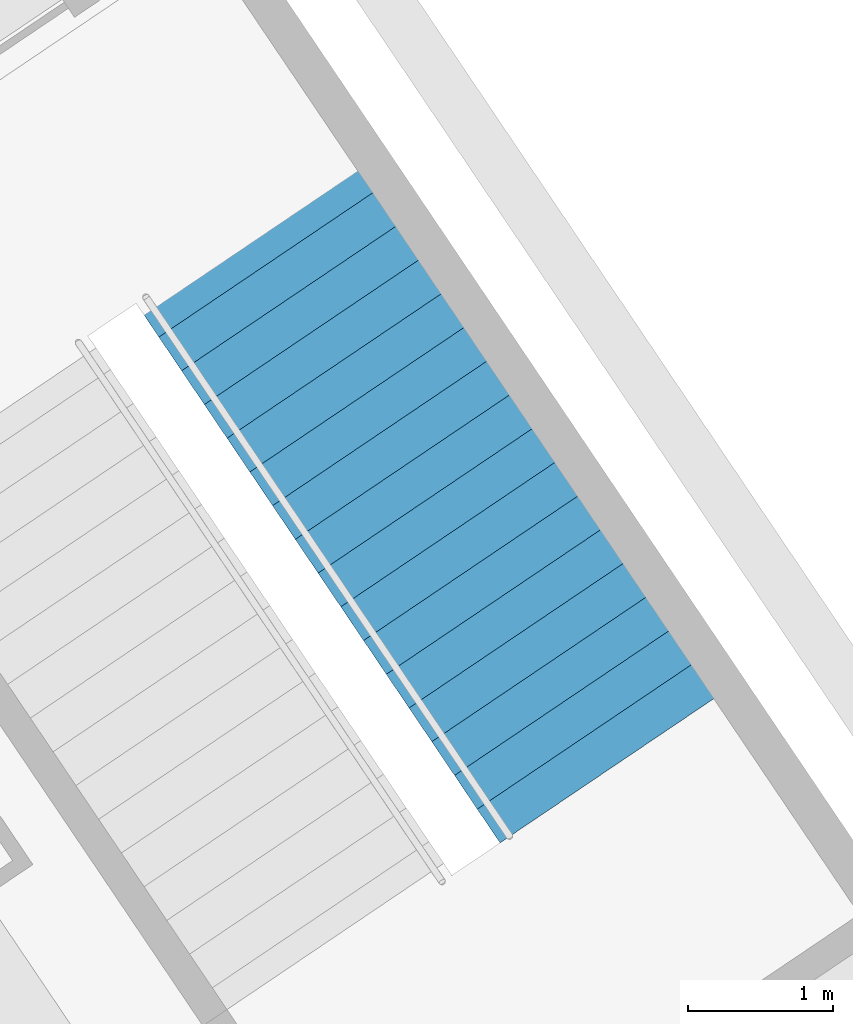
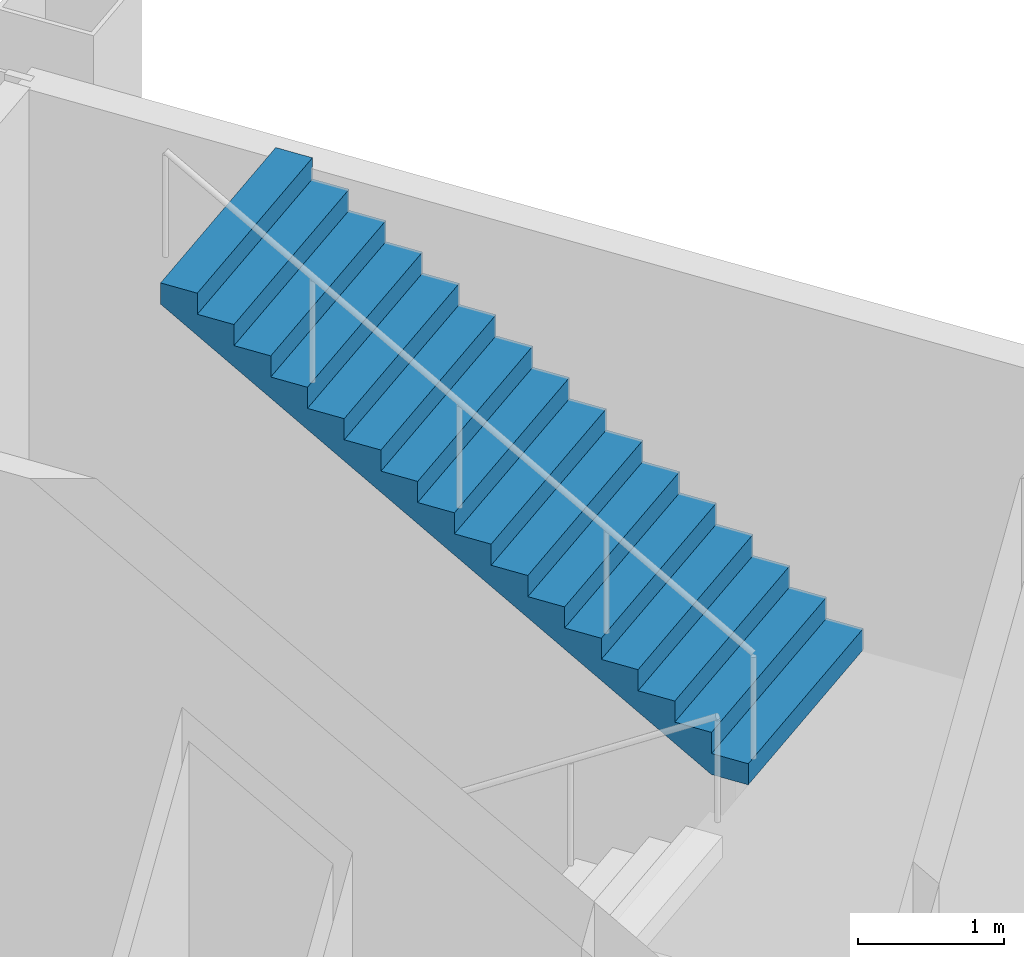
# One storey, part 22 of 23: 1 stair flight, 1 element without a shape of its own.
"""IFC4 building model written with IfcOpenShell, lengths in metres."""

from ifc_helpers import new_model, si_unit, direction, frame, origin, place, context, subcontext, project, spatial, polyline, outline, extrude, material, type_object, element, aggregate, save


model = new_model("IFC4")

# Units and contexts
model_context = context("Model", 3, precision=1e-05, world=origin(), true_north=direction((0.0, 1.0)))
body_context = subcontext(model_context, "Body", "Model", "MODEL_VIEW")
ifc_project = project(units=[si_unit("LENGTHUNIT", "METRE"), si_unit("AREAUNIT", "SQUARE_METRE"), si_unit("VOLUMEUNIT", "CUBIC_METRE"), si_unit("PLANEANGLEUNIT", "RADIAN"), si_unit("MASSUNIT", "GRAM", prefix="KILO")], contexts=[model_context])

# Site, building, storey
site_placement = place(None, origin())
site = spatial("IfcSite", under=ifc_project, at=site_placement, CompositionType="ELEMENT")
building_placement = place(site_placement, origin())
building = spatial("IfcBuilding", under=site, at=building_placement, Name="Qingtian Harvest Tower", CompositionType="ELEMENT")
storey_placement = place(building_placement, frame((0.0, 0.0, 6.0)))
storey = spatial("IfcBuildingStorey", under=building, at=storey_placement, Name="L01", CompositionType="ELEMENT", Elevation=6.0)

# Stair, stair flight
ifc_material_1 = material(Name="Concrete fc' 35 MPa", Category="concrete")
stair_type = type_object("IfcStairType", Name="Exit stair PS1 6000", PredefinedType="HALF_TURN_STAIR", material=ifc_material_1)
stair_placement = place(storey_placement, origin())
stair = element("IfcStair", 1, at=stair_placement, inside=storey, type_object=stair_type, Name="Exit stair P1 L01", PredefinedType="HALF_TURN_STAIR")
ifc_material_2 = material(Name="Concrete fc' 35 MPa", Category="concrete")
stair_flight_type = type_object("IfcStairFlightType", Name="Exit stair flight EF1 6000", PredefinedType="STRAIGHT", material=ifc_material_2)
stair_flight_placement = place(storey_placement, frame((30.415283203125, 10.881103515625, 3.0), z_axis=(0.0, 0.0, 1.0), x_axis=(-0.559192903471, 0.829037572555, 0.0)))
stair_flight = element("IfcStairFlight", 2, at=stair_flight_placement, type_object=stair_flight_type, Name="P1 flight 2", NumberOfRisers=17, NumberOfTreads=16, PredefinedType="STRAIGHT", RiserHeight=0.176470588, TreadLength=0.28, context=body_context, shape_type="SweptSolid", body=[
    extrude(outline(polyline([(0.0, 0.0), (0.0, 0.176513671875), (0.280029296875, 0.176513671875), (0.280029296875, 0.35302734375), (0.56005859375, 0.35302734375), (0.56005859375, 0.529296875), (0.840087890625, 0.529296875), (0.840087890625, 0.705810546875), (1.1201171875, 0.705810546875), (1.1201171875, 0.88232421875), (1.39990234375, 0.88232421875), (1.39990234375, 1.058837890625), (1.679931640625, 1.058837890625), (1.679931640625, 1.2353515625), (1.9599609375, 1.2353515625), (1.9599609375, 1.411865234375), (2.239990234375, 1.411865234375), (2.239990234375, 1.588134765625), (2.52001953125, 1.588134765625), (2.52001953125, 1.7646484375), (2.800048828125, 1.7646484375), (2.800048828125, 1.941162109375), (3.080078125, 1.941162109375), (3.080078125, 2.11767578125), (3.360107421875, 2.11767578125), (3.360107421875, 2.294189453125), (3.639892578125, 2.294189453125), (3.639892578125, 2.470703125), (3.919921875, 2.470703125), (3.919921875, 2.64697265625), (4.199951171875, 2.64697265625), (4.199951171875, 2.823486328125), (4.47998046875, 2.823486328125), (4.47998046875, 3.0), (4.47998046875, 2.646240234375), (0.28125, 0.0), (0.0, 0.0)])), frame((0.0, 0.89990234375, 0.0), z_axis=(0.0, -1.0, 0.0), x_axis=(1.0, 0.0, 0.0)), (0.0, 0.0, 1.0), 1.800048828125),
])
aggregate(stair, [stair_flight])

save(model, "model.ifc")
